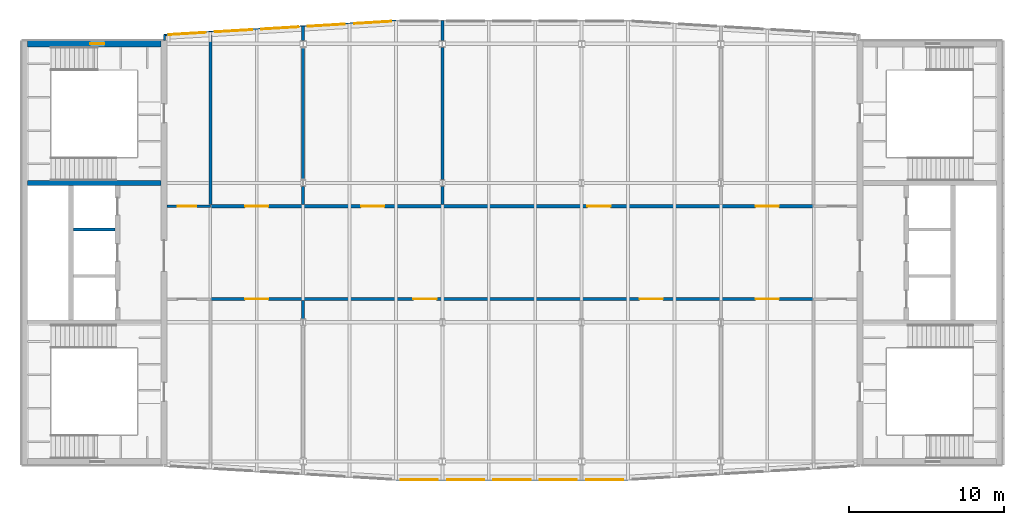
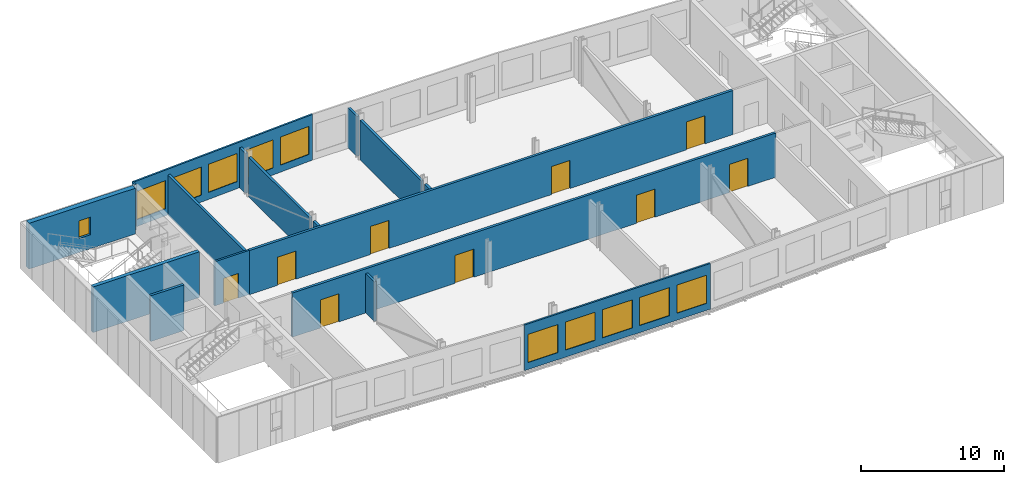
# One storey, part 4 of 9: 17 walls, 11 windows, 9 doors, 20 openings.
"""IFC4 building model written with IfcOpenShell, lengths in metres."""

from ifc_helpers import new_model, si_unit, direction, frame, frame_2d, origin, place, context, subcontext, project, spatial, rectangle, extrude, material, layer, layer_set, type_object, element, fill, save


model = new_model("IFC4")

# Units and contexts
model_context = context("Model", 3, precision=1e-05, world=origin(), true_north=direction((0.0, 1.0)))
body_context = subcontext(model_context, "Body", "Model", "MODEL_VIEW")
ifc_project = project(units=[si_unit("LENGTHUNIT", "METRE"), si_unit("AREAUNIT", "SQUARE_METRE"), si_unit("VOLUMEUNIT", "CUBIC_METRE"), si_unit("PLANEANGLEUNIT", "RADIAN"), si_unit("MASSUNIT", "GRAM", prefix="KILO")], contexts=[model_context])

# Site, building, storey
site_placement = place(None, origin())
site = spatial("IfcSite", under=ifc_project, at=site_placement, CompositionType="ELEMENT")
building_placement = place(site_placement, origin())
building = spatial("IfcBuilding", under=site, at=building_placement, Name="Azimuth Sports and Learning Centre", CompositionType="ELEMENT")
storey_placement = place(building_placement, frame((0.0, 0.0, 51.89990234375)))
storey = spatial("IfcBuildingStorey", under=building, at=storey_placement, Name="L11", CompositionType="ELEMENT", Elevation=51.89990234375)

# Wall
ifc_material_1 = material(Name="Dense masonry blockwork", Category="masonry")
ifc_layer_1 = layer(ifc_material_1, 0.199951171875)
ifc_layer_set_1 = layer_set([ifc_layer_1], Name="Dense masonry blockwork")
wall_type_1 = type_object("IfcWallType", Name="Blockwork wall 200 EI 120", PredefinedType="SOLIDWALL", material=ifc_layer_set_1)
wall_1_placement = place(storey_placement, frame((57.14990234375, 105.0, 0.0), z_axis=(0.0, 0.0, 1.0), x_axis=(1.0, 0.0, 0.0)))
element("IfcWall", 1, at=wall_1_placement, inside=storey, type_object=wall_type_1, Name="SD-W-2-L11", PredefinedType="SOLIDWALL", context=body_context, shape_type="SweptSolid", body=[
    extrude(rectangle(XDim=2.7001953125, YDim=0.199951171875, at=frame_2d((1.35009765625, 0.0))), origin(), (0.0, 0.0, 1.0), 3.900146484375),
])

# Wall, opening, door
ifc_material_2 = material(Name="Lightweight blockwork, rendered", Category="masonry")
ifc_layer_2 = layer(ifc_material_2, 0.14990234375)
ifc_layer_set_2 = layer_set([ifc_layer_2], Name="Lightweight blockwork, rendered")
wall_type_2 = type_object("IfcWallType", Name="Partition 150 EI 60", PredefinedType="PARTITIONING", material=ifc_layer_set_2)
wall_2_placement = place(storey_placement, frame((63.199951171875, 106.5, 0.0), z_axis=(0.0, 0.0, 1.0), x_axis=(1.0, 0.0, 0.0)))
wall_2 = element("IfcWall", 2, at=wall_2_placement, inside=storey, type_object=wall_type_2, Name="Partition Stair Lobby W2 11.02 / Plant Corridor", PredefinedType="PARTITIONING", context=body_context, shape_type="SweptSolid", body=[
    extrude(rectangle(XDim=2.800048828125, YDim=0.14990234375, at=frame_2d((1.39990234375, 0.0))), origin(), (0.0, 0.0, 1.0), 3.77001953125),
])
opening_1_placement = place(wall_2_placement, frame((0.699951171875, 0.0, 0.0)))
opening_1 = element("IfcOpeningElement", 3, at=opening_1_placement, cuts=wall_2, Name="Opening D11-012", PredefinedType="OPENING", context=body_context, shape_type="SweptSolid", body=[
    extrude(rectangle(XDim=1.199951171875, YDim=2.10009765625, at=frame_2d((0.60009765625, 1.050048828125))), frame((0.0, 0.0859375, 0.0), z_axis=(0.0, -1.0, 0.0), x_axis=(1.0, 0.0, 0.0)), (0.0, 0.0, 1.0), 0.171875),
])
ifc_material_3 = material(Name="Painted steel door set", Category="steel")
door_type_1 = type_object("IfcDoorType", Name="Fire door FD60 1200 x 2100", OperationType="NOTDEFINED", PredefinedType="DOOR", material=ifc_material_3)
door_1_placement = place(opening_1_placement, origin())
door_1 = element("IfcDoor", 4, at=door_1_placement, inside=storey, type_object=door_type_1, Name="Door Stair Lobby W2 11.02 / Plant Corridor", OperationType="SINGLE_SWING_LEFT", OverallHeight=2.10009765625, OverallWidth=1.199951171875, PredefinedType="DOOR", context=body_context, shape_type="SweptSolid", body=[
    extrude(rectangle(XDim=1.199951171875, YDim=2.10009765625, at=frame_2d((0.60009765625, 1.050048828125))), frame((0.0, 0.02490234375, 0.0), z_axis=(0.0, -1.0, 0.0), x_axis=(1.0, 0.0, 0.0)), (0.0, 0.0, 1.0), 0.050048828125),
])
fill(opening_1, door_1)

# Wall, openings, doors
ifc_material_4 = material(Name="Lightweight blockwork, rendered", Category="masonry")
ifc_layer_3 = layer(ifc_material_4, 0.199951171875)
ifc_layer_set_3 = layer_set([ifc_layer_3], Name="Lightweight blockwork, rendered")
wall_type_3 = type_object("IfcWallType", Name="Partition 200 EI 120", PredefinedType="PARTITIONING", material=ifc_layer_set_3)
wall_3_placement = place(storey_placement, frame((66.0, 100.5, 0.0), z_axis=(0.0, 0.0, 1.0), x_axis=(1.0, 0.0, 0.0)))
wall_3 = element("IfcWall", 5, at=wall_3_placement, inside=storey, type_object=wall_type_3, Name="Partition Electrical Switch Room 11.07 / Air Handling Plant Room 11.08", PredefinedType="PARTITIONING", context=body_context, shape_type="SweptSolid", body=[
    extrude(rectangle(XDim=39.0, YDim=0.199951171875, at=frame_2d((19.5, 0.0))), origin(), (0.0, 0.0, 1.0), 3.77001953125),
])
opening_2_placement = place(wall_3_placement, frame((2.25, 0.0, 0.0)))
opening_2 = element("IfcOpeningElement", 6, at=opening_2_placement, cuts=wall_3, Name="Opening D11-015", PredefinedType="OPENING", context=body_context, shape_type="SweptSolid", body=[
    extrude(rectangle(XDim=1.5, YDim=2.39990234375, at=frame_2d((0.75, 1.199951171875))), frame((0.0, 0.11083984375, 0.0), z_axis=(0.0, -1.0, 0.0), x_axis=(1.0, 0.0, 0.0)), (0.0, 0.0, 1.0), 0.221923828125),
])
opening_3_placement = place(wall_3_placement, frame((13.125, 0.0, 0.0)))
opening_3 = element("IfcOpeningElement", 7, at=opening_3_placement, cuts=wall_3, Name="Opening D11-016", PredefinedType="OPENING", context=body_context, shape_type="SweptSolid", body=[
    extrude(rectangle(XDim=1.5, YDim=2.39990234375, at=frame_2d((0.75, 1.199951171875))), frame((0.0, 0.11083984375, 0.0), z_axis=(0.0, -1.0, 0.0), x_axis=(1.0, 0.0, 0.0)), (0.0, 0.0, 1.0), 0.221923828125),
])
opening_4_placement = place(wall_3_placement, frame((27.75, 0.0, 0.0)))
opening_4 = element("IfcOpeningElement", 8, at=opening_4_placement, cuts=wall_3, Name="Opening D11-017", PredefinedType="OPENING", context=body_context, shape_type="SweptSolid", body=[
    extrude(rectangle(XDim=1.5, YDim=2.39990234375, at=frame_2d((0.75, 1.199951171875))), frame((0.0, 0.11083984375, 0.0), z_axis=(0.0, -1.0, 0.0), x_axis=(1.0, 0.0, 0.0)), (0.0, 0.0, 1.0), 0.221923828125),
])
opening_5_placement = place(wall_3_placement, frame((35.25, 0.0, 0.0)))
opening_5 = element("IfcOpeningElement", 9, at=opening_5_placement, cuts=wall_3, Name="Opening D11-018", PredefinedType="OPENING", context=body_context, shape_type="SweptSolid", body=[
    extrude(rectangle(XDim=1.5, YDim=2.39990234375, at=frame_2d((0.75, 1.199951171875))), frame((0.0, 0.11083984375, 0.0), z_axis=(0.0, -1.0, 0.0), x_axis=(1.0, 0.0, 0.0)), (0.0, 0.0, 1.0), 0.221923828125),
])
ifc_material_5 = material(Name="Painted steel door set", Category="steel")
door_type_2 = type_object("IfcDoorType", Name="Fire door FD120 1500 x 2400 double leaf", OperationType="DOUBLE_DOOR_SINGLE_SWING", PredefinedType="DOOR", material=ifc_material_5)
door_2_placement = place(opening_2_placement, origin())
door_2 = element("IfcDoor", 10, at=door_2_placement, inside=storey, type_object=door_type_2, Name="Door Electrical Switch Room 11.07 / Plant Corridor", OperationType="DOUBLE_DOOR_SINGLE_SWING", OverallHeight=2.39990234375, OverallWidth=1.5, PredefinedType="DOOR", context=body_context, shape_type="SweptSolid", body=[
    extrude(rectangle(XDim=1.5, YDim=2.39990234375, at=frame_2d((0.75, 1.199951171875))), frame((0.0, 0.02490234375, 0.0), z_axis=(0.0, -1.0, 0.0), x_axis=(1.0, 0.0, 0.0)), (0.0, 0.0, 1.0), 0.050048828125),
])
fill(opening_2, door_2)
door_3_placement = place(opening_3_placement, origin())
door_3 = element("IfcDoor", 11, at=door_3_placement, inside=storey, type_object=door_type_2, Name="Door Air Handling Plant Room 11.08 / Plant Corridor", OperationType="DOUBLE_DOOR_SINGLE_SWING", OverallHeight=2.39990234375, OverallWidth=1.5, PredefinedType="DOOR", context=body_context, shape_type="SweptSolid", body=[
    extrude(rectangle(XDim=1.5, YDim=2.39990234375, at=frame_2d((0.75, 1.199951171875))), frame((0.0, 0.02490234375, 0.0), z_axis=(0.0, -1.0, 0.0), x_axis=(1.0, 0.0, 0.0)), (0.0, 0.0, 1.0), 0.050048828125),
])
fill(opening_3, door_3)
door_4_placement = place(opening_4_placement, origin())
door_4 = element("IfcDoor", 12, at=door_4_placement, inside=storey, type_object=door_type_2, Name="Door Fire Protection Pump Room 11.09 / Plant Corridor", OperationType="DOUBLE_DOOR_SINGLE_SWING", OverallHeight=2.39990234375, OverallWidth=1.5, PredefinedType="DOOR", context=body_context, shape_type="SweptSolid", body=[
    extrude(rectangle(XDim=1.5, YDim=2.39990234375, at=frame_2d((0.75, 1.199951171875))), frame((0.0, 0.02490234375, 0.0), z_axis=(0.0, -1.0, 0.0), x_axis=(1.0, 0.0, 0.0)), (0.0, 0.0, 1.0), 0.050048828125),
])
fill(opening_4, door_4)
door_5_placement = place(opening_5_placement, origin())
door_5 = element("IfcDoor", 13, at=door_5_placement, inside=storey, type_object=door_type_2, Name="Door Communications Room 11.10 / Plant Corridor", OperationType="DOUBLE_DOOR_SINGLE_SWING", OverallHeight=2.39990234375, OverallWidth=1.5, PredefinedType="DOOR", context=body_context, shape_type="SweptSolid", body=[
    extrude(rectangle(XDim=1.5, YDim=2.39990234375, at=frame_2d((0.75, 1.199951171875))), frame((0.0, 0.02490234375, 0.0), z_axis=(0.0, -1.0, 0.0), x_axis=(1.0, 0.0, 0.0)), (0.0, 0.0, 1.0), 0.050048828125),
])
fill(opening_5, door_5)

wall_4_placement = place(storey_placement, frame((66.0, 106.5, 0.0), z_axis=(0.0, 0.0, 1.0), x_axis=(1.0, 0.0, 0.0)))
wall_4 = element("IfcWall", 14, at=wall_4_placement, inside=storey, type_object=wall_type_3, Name="Partition Water Services Room 11.11 / Plant Maintenance Store 11.12", PredefinedType="PARTITIONING", context=body_context, shape_type="SweptSolid", body=[
    extrude(rectangle(XDim=39.0, YDim=0.199951171875, at=frame_2d((19.5, 0.0))), origin(), (0.0, 0.0, 1.0), 3.77001953125),
])
opening_6_placement = place(wall_4_placement, frame((2.25, 0.0, 0.0)))
opening_6 = element("IfcOpeningElement", 15, at=opening_6_placement, cuts=wall_4, Name="Opening D11-019", PredefinedType="OPENING", context=body_context, shape_type="SweptSolid", body=[
    extrude(rectangle(XDim=1.5, YDim=2.39990234375, at=frame_2d((0.75, 1.199951171875))), frame((0.0, 0.11083984375, 0.0), z_axis=(0.0, -1.0, 0.0), x_axis=(1.0, 0.0, 0.0)), (0.0, 0.0, 1.0), 0.221923828125),
])
opening_7_placement = place(wall_4_placement, frame((9.75, 0.0, 0.0)))
opening_7 = element("IfcOpeningElement", 16, at=opening_7_placement, cuts=wall_4, Name="Opening D11-020", PredefinedType="OPENING", context=body_context, shape_type="SweptSolid", body=[
    extrude(rectangle(XDim=1.5, YDim=2.39990234375, at=frame_2d((0.75, 1.199951171875))), frame((0.0, 0.11083984375, 0.0), z_axis=(0.0, -1.0, 0.0), x_axis=(1.0, 0.0, 0.0)), (0.0, 0.0, 1.0), 0.221923828125),
])
opening_8_placement = place(wall_4_placement, frame((24.375, 0.0, 0.0)))
opening_8 = element("IfcOpeningElement", 17, at=opening_8_placement, cuts=wall_4, Name="Opening D11-021", PredefinedType="OPENING", context=body_context, shape_type="SweptSolid", body=[
    extrude(rectangle(XDim=1.5, YDim=2.39990234375, at=frame_2d((0.75, 1.199951171875))), frame((0.0, 0.11083984375, 0.0), z_axis=(0.0, -1.0, 0.0), x_axis=(1.0, 0.0, 0.0)), (0.0, 0.0, 1.0), 0.221923828125),
])
opening_9_placement = place(wall_4_placement, frame((35.25, 0.0, 0.0)))
opening_9 = element("IfcOpeningElement", 18, at=opening_9_placement, cuts=wall_4, Name="Opening D11-022", PredefinedType="OPENING", context=body_context, shape_type="SweptSolid", body=[
    extrude(rectangle(XDim=1.5, YDim=2.39990234375, at=frame_2d((0.75, 1.199951171875))), frame((0.0, 0.11083984375, 0.0), z_axis=(0.0, -1.0, 0.0), x_axis=(1.0, 0.0, 0.0)), (0.0, 0.0, 1.0), 0.221923828125),
])
door_6_placement = place(opening_6_placement, frame((1.5, 0.0, 0.0), z_axis=(0.0, 0.0, 1.0), x_axis=(-1.0, 0.0, 0.0)))
door_6 = element("IfcDoor", 19, at=door_6_placement, inside=storey, type_object=door_type_2, Name="Door Water Services Room 11.11 / Plant Corridor", OperationType="DOUBLE_DOOR_SINGLE_SWING", OverallHeight=2.39990234375, OverallWidth=1.5, PredefinedType="DOOR", context=body_context, shape_type="SweptSolid", body=[
    extrude(rectangle(XDim=1.5, YDim=2.39990234375, at=frame_2d((0.75, 1.199951171875))), frame((0.0, 0.02490234375, 0.0), z_axis=(0.0, -1.0, 0.0), x_axis=(1.0, 0.0, 0.0)), (0.0, 0.0, 1.0), 0.050048828125),
])
fill(opening_6, door_6)
door_7_placement = place(opening_7_placement, frame((1.5, 0.0, 0.0), z_axis=(0.0, 0.0, 1.0), x_axis=(-1.0, 0.0, 0.0)))
door_7 = element("IfcDoor", 20, at=door_7_placement, inside=storey, type_object=door_type_2, Name="Door Plant Maintenance Store 11.12 / Plant Corridor", OperationType="DOUBLE_DOOR_SINGLE_SWING", OverallHeight=2.39990234375, OverallWidth=1.5, PredefinedType="DOOR", context=body_context, shape_type="SweptSolid", body=[
    extrude(rectangle(XDim=1.5, YDim=2.39990234375, at=frame_2d((0.75, 1.199951171875))), frame((0.0, 0.02490234375, 0.0), z_axis=(0.0, -1.0, 0.0), x_axis=(1.0, 0.0, 0.0)), (0.0, 0.0, 1.0), 0.050048828125),
])
fill(opening_7, door_7)
door_8_placement = place(opening_8_placement, frame((1.5, 0.0, 0.0), z_axis=(0.0, 0.0, 1.0), x_axis=(-1.0, 0.0, 0.0)))
door_8 = element("IfcDoor", 21, at=door_8_placement, inside=storey, type_object=door_type_2, Name="Door Air Handling Plant Room 11.13 / Plant Corridor", OperationType="DOUBLE_DOOR_SINGLE_SWING", OverallHeight=2.39990234375, OverallWidth=1.5, PredefinedType="DOOR", context=body_context, shape_type="SweptSolid", body=[
    extrude(rectangle(XDim=1.5, YDim=2.39990234375, at=frame_2d((0.75, 1.199951171875))), frame((0.0, 0.02490234375, 0.0), z_axis=(0.0, -1.0, 0.0), x_axis=(1.0, 0.0, 0.0)), (0.0, 0.0, 1.0), 0.050048828125),
])
fill(opening_8, door_8)
door_9_placement = place(opening_9_placement, frame((1.5, 0.0, 0.0), z_axis=(0.0, 0.0, 1.0), x_axis=(-1.0, 0.0, 0.0)))
door_9 = element("IfcDoor", 22, at=door_9_placement, inside=storey, type_object=door_type_2, Name="Door Battery and UPS Room 11.14 / Plant Corridor", OperationType="DOUBLE_DOOR_SINGLE_SWING", OverallHeight=2.39990234375, OverallWidth=1.5, PredefinedType="DOOR", context=body_context, shape_type="SweptSolid", body=[
    extrude(rectangle(XDim=1.5, YDim=2.39990234375, at=frame_2d((0.75, 1.199951171875))), frame((0.0, 0.02490234375, 0.0), z_axis=(0.0, -1.0, 0.0), x_axis=(1.0, 0.0, 0.0)), (0.0, 0.0, 1.0), 0.050048828125),
])
fill(opening_9, door_9)

# Walls
wall_5_placement = place(storey_placement, frame((66.0, 106.60009765625, 0.0), z_axis=(0.0, 0.0, 1.0), x_axis=(0.0, 1.0, 0.0)))
element("IfcWall", 23, at=wall_5_placement, inside=storey, type_object=wall_type_3, Name="Partition Stair Lobby W2 11.02 / Water Services Room 11.11", PredefinedType="PARTITIONING", context=body_context, shape_type="SweptSolid", body=[
    extrude(rectangle(XDim=11.179931640625, YDim=0.199951171875, at=frame_2d((5.58984375, 0.0))), origin(), (0.0, 0.0, 1.0), 3.41015625),
])
for number, where, z_axis, x_axis, name in (
    (24, (72.0, 99.216064453125, 0.0), (0.0, 0.0, 1.0), (0.0, 1.0, 0.0), "Partition Electrical Switch Room 11.07 / Air Handling Plant Room 11.08"),
    (25, (72.0, 106.60009765625, 0.0), (0.0, 0.0, 1.0), (0.0, 1.0, 0.0), "Partition Water Services Room 11.11 / Plant Maintenance Store 11.12"),
):
    element("IfcWall", number, at=place(storey_placement, frame(where, z_axis=z_axis, x_axis=x_axis)), inside=storey, type_object=wall_type_3, Name=name, PredefinedType="PARTITIONING", context=body_context, shape_type="SweptSolid", body=[
        extrude(rectangle(XDim=1.183837890625, YDim=0.199951171875, at=frame_2d((0.591796875, 0.0))), origin(), (0.0, 0.0, 1.0), 3.3701171875),
    ])
wall_6_placement = place(storey_placement, frame((72.0, 108.216064453125, 0.0), z_axis=(0.0, 0.0, 1.0), x_axis=(0.0, 1.0, 0.0)))
element("IfcWall", 26, at=wall_6_placement, inside=storey, type_object=wall_type_3, Name="Partition Water Services Room 11.11 / Plant Maintenance Store 11.12", PredefinedType="PARTITIONING", context=body_context, shape_type="SweptSolid", body=[
    extrude(rectangle(XDim=8.556396484375, YDim=0.199951171875, at=frame_2d((4.2783203125, 0.0))), origin(), (0.0, 0.0, 1.0), 3.3701171875),
])
wall_7_placement = place(storey_placement, frame((72.0, 117.2275390625, 0.0), z_axis=(0.0, 0.0, 1.0), x_axis=(0.0, 1.0, 0.0)))
element("IfcWall", 27, at=wall_7_placement, inside=storey, type_object=wall_type_3, Name="Partition Water Services Room 11.11 / Plant Maintenance Store 11.12", PredefinedType="PARTITIONING", context=body_context, shape_type="SweptSolid", body=[
    extrude(rectangle(XDim=0.912353515625, YDim=0.199951171875, at=frame_2d((0.4560546875, 0.0))), origin(), (0.0, 0.0, 1.0), 3.41015625),
])
wall_8_placement = place(storey_placement, frame((81.0, 106.60009765625, 0.0), z_axis=(0.0, 0.0, 1.0), x_axis=(0.0, 1.0, 0.0)))
element("IfcWall", 28, at=wall_8_placement, inside=storey, type_object=wall_type_3, Name="Partition Plant Maintenance Store 11.12 / Air Handling Plant Room 11.13", PredefinedType="PARTITIONING", context=body_context, shape_type="SweptSolid", body=[
    extrude(rectangle(XDim=1.183837890625, YDim=0.199951171875, at=frame_2d((0.591796875, 0.0))), origin(), (0.0, 0.0, 1.0), 3.3701171875),
])
wall_9_placement = place(storey_placement, frame((81.0, 108.216064453125, 0.0), z_axis=(0.0, 0.0, 1.0), x_axis=(0.0, 1.0, 0.0)))
element("IfcWall", 29, at=wall_9_placement, inside=storey, type_object=wall_type_3, Name="Partition Plant Maintenance Store 11.12 / Air Handling Plant Room 11.13", PredefinedType="PARTITIONING", context=body_context, shape_type="SweptSolid", body=[
    extrude(rectangle(XDim=8.556396484375, YDim=0.199951171875, at=frame_2d((4.2783203125, 0.0))), origin(), (0.0, 0.0, 1.0), 3.3701171875),
])
wall_10_placement = place(storey_placement, frame((81.0, 117.2275390625, 0.0), z_axis=(0.0, 0.0, 1.0), x_axis=(0.0, 1.0, 0.0)))
element("IfcWall", 30, at=wall_10_placement, inside=storey, type_object=wall_type_3, Name="Partition Plant Maintenance Store 11.12 / Air Handling Plant Room 11.13", PredefinedType="PARTITIONING", context=body_context, shape_type="SweptSolid", body=[
    extrude(rectangle(XDim=1.2724609375, YDim=0.199951171875, at=frame_2d((0.63623046875, 0.0))), origin(), (0.0, 0.0, 1.0), 3.41015625),
])

# Wall, openings, windows
ifc_material_6 = material(Name="Aluminium rainscreen cladding, mineral wool insulation, steel stud backing, plasterboard", Category="steel")
ifc_layer_4 = layer(ifc_material_6, 0.139892578125)
ifc_layer_set_4 = layer_set([ifc_layer_4], Name="Aluminium rainscreen cladding, mineral wool insulation, steel stud backing, plasterboard")
wall_type_4 = type_object("IfcWallType", Name="Plant band wall 140", PredefinedType="SOLIDWALL", material=ifc_layer_set_4)
wall_11_placement = place(storey_placement, frame((78.001708984375, 88.830078125, 0.0), z_axis=(0.0, 0.0, 1.0), x_axis=(1.0, 0.0, 0.0)))
wall_11 = element("IfcWall", 31, at=wall_11_placement, inside=storey, type_object=wall_type_4, Name="Plant band wall S-TOWER-2 L11", PredefinedType="SOLIDWALL", context=body_context, shape_type="SweptSolid", body=[
    extrude(rectangle(XDim=14.998291015625, YDim=0.139892578125, at=frame_2d((7.4990234375, 0.0))), origin(), (0.0, 0.0, 1.0), 3.900146484375),
])
opening_10_placement = place(wall_11_placement, frame((0.298095703125, 0.0, 0.60009765625)))
opening_10 = element("IfcOpeningElement", 32, at=opening_10_placement, cuts=wall_11, Name="Opening W11-007", PredefinedType="OPENING", context=body_context, shape_type="SweptSolid", body=[
    extrude(rectangle(XDim=2.39990234375, YDim=2.39990234375, at=frame_2d((1.199951171875, 1.199951171875))), frame((0.0, 0.0810546875, 0.0), z_axis=(0.0, -1.0, 0.0), x_axis=(1.0, 0.0, 0.0)), (0.0, 0.0, 1.0), 0.161865234375),
])
opening_11_placement = place(wall_11_placement, frame((3.298095703125, 0.0, 0.60009765625)))
opening_11 = element("IfcOpeningElement", 33, at=opening_11_placement, cuts=wall_11, Name="Opening W11-008", PredefinedType="OPENING", context=body_context, shape_type="SweptSolid", body=[
    extrude(rectangle(XDim=2.39990234375, YDim=2.39990234375, at=frame_2d((1.199951171875, 1.199951171875))), frame((0.0, 0.0810546875, 0.0), z_axis=(0.0, -1.0, 0.0), x_axis=(1.0, 0.0, 0.0)), (0.0, 0.0, 1.0), 0.161865234375),
])
opening_12_placement = place(wall_11_placement, frame((6.298095703125, 0.0, 0.60009765625)))
opening_12 = element("IfcOpeningElement", 34, at=opening_12_placement, cuts=wall_11, Name="Opening W11-009", PredefinedType="OPENING", context=body_context, shape_type="SweptSolid", body=[
    extrude(rectangle(XDim=2.39990234375, YDim=2.39990234375, at=frame_2d((1.199951171875, 1.199951171875))), frame((0.0, 0.0810546875, 0.0), z_axis=(0.0, -1.0, 0.0), x_axis=(1.0, 0.0, 0.0)), (0.0, 0.0, 1.0), 0.161865234375),
])
opening_13_placement = place(wall_11_placement, frame((9.298095703125, 0.0, 0.60009765625)))
opening_13 = element("IfcOpeningElement", 35, at=opening_13_placement, cuts=wall_11, Name="Opening W11-010", PredefinedType="OPENING", context=body_context, shape_type="SweptSolid", body=[
    extrude(rectangle(XDim=2.39990234375, YDim=2.39990234375, at=frame_2d((1.199951171875, 1.199951171875))), frame((0.0, 0.0810546875, 0.0), z_axis=(0.0, -1.0, 0.0), x_axis=(1.0, 0.0, 0.0)), (0.0, 0.0, 1.0), 0.161865234375),
])
opening_14_placement = place(wall_11_placement, frame((12.298095703125, 0.0, 0.60009765625)))
opening_14 = element("IfcOpeningElement", 36, at=opening_14_placement, cuts=wall_11, Name="Opening W11-011", PredefinedType="OPENING", context=body_context, shape_type="SweptSolid", body=[
    extrude(rectangle(XDim=2.39990234375, YDim=2.39990234375, at=frame_2d((1.199951171875, 1.199951171875))), frame((0.0, 0.0810546875, 0.0), z_axis=(0.0, -1.0, 0.0), x_axis=(1.0, 0.0, 0.0)), (0.0, 0.0, 1.0), 0.161865234375),
])
ifc_material_7 = material(Name="Aluminium and glass", Category="aluminium")
window_type_1 = type_object("IfcWindowType", Name="Plant band louvre window 2400x2400", PartitioningType="SINGLE_PANEL", PredefinedType="WINDOW", material=ifc_material_7)
window_1_placement = place(opening_10_placement, origin())
window_1 = element("IfcWindow", 37, at=window_1_placement, inside=storey, type_object=window_type_1, Name="Window W11-007", OverallHeight=2.39990234375, OverallWidth=2.39990234375, PartitioningType="SINGLE_PANEL", PredefinedType="WINDOW", context=body_context, shape_type="SweptSolid", body=[
    extrude(rectangle(XDim=2.39990234375, YDim=2.39990234375, at=frame_2d((1.199951171875, 1.199951171875))), frame((0.0, 0.030029296875, 0.0), z_axis=(0.0, -1.0, 0.0), x_axis=(1.0, 0.0, 0.0)), (0.0, 0.0, 1.0), 0.06005859375),
])
fill(opening_10, window_1)
window_2_placement = place(opening_11_placement, origin())
window_2 = element("IfcWindow", 38, at=window_2_placement, inside=storey, type_object=window_type_1, Name="Window W11-008", OverallHeight=2.39990234375, OverallWidth=2.39990234375, PartitioningType="SINGLE_PANEL", PredefinedType="WINDOW", context=body_context, shape_type="SweptSolid", body=[
    extrude(rectangle(XDim=2.39990234375, YDim=2.39990234375, at=frame_2d((1.199951171875, 1.199951171875))), frame((0.0, 0.030029296875, 0.0), z_axis=(0.0, -1.0, 0.0), x_axis=(1.0, 0.0, 0.0)), (0.0, 0.0, 1.0), 0.06005859375),
])
fill(opening_11, window_2)
window_3_placement = place(opening_12_placement, origin())
window_3 = element("IfcWindow", 39, at=window_3_placement, inside=storey, type_object=window_type_1, Name="Window W11-009", OverallHeight=2.39990234375, OverallWidth=2.39990234375, PartitioningType="SINGLE_PANEL", PredefinedType="WINDOW", context=body_context, shape_type="SweptSolid", body=[
    extrude(rectangle(XDim=2.39990234375, YDim=2.39990234375, at=frame_2d((1.199951171875, 1.199951171875))), frame((0.0, 0.030029296875, 0.0), z_axis=(0.0, -1.0, 0.0), x_axis=(1.0, 0.0, 0.0)), (0.0, 0.0, 1.0), 0.06005859375),
])
fill(opening_12, window_3)
window_4_placement = place(opening_13_placement, origin())
window_4 = element("IfcWindow", 40, at=window_4_placement, inside=storey, type_object=window_type_1, Name="Window W11-010", OverallHeight=2.39990234375, OverallWidth=2.39990234375, PartitioningType="SINGLE_PANEL", PredefinedType="WINDOW", context=body_context, shape_type="SweptSolid", body=[
    extrude(rectangle(XDim=2.39990234375, YDim=2.39990234375, at=frame_2d((1.199951171875, 1.199951171875))), frame((0.0, 0.030029296875, 0.0), z_axis=(0.0, -1.0, 0.0), x_axis=(1.0, 0.0, 0.0)), (0.0, 0.0, 1.0), 0.06005859375),
])
fill(opening_13, window_4)
window_5_placement = place(opening_14_placement, origin())
window_5 = element("IfcWindow", 41, at=window_5_placement, inside=storey, type_object=window_type_1, Name="Window W11-011", OverallHeight=2.39990234375, OverallWidth=2.39990234375, PartitioningType="SINGLE_PANEL", PredefinedType="WINDOW", context=body_context, shape_type="SweptSolid", body=[
    extrude(rectangle(XDim=2.39990234375, YDim=2.39990234375, at=frame_2d((1.199951171875, 1.199951171875))), frame((0.0, 0.030029296875, 0.0), z_axis=(0.0, -1.0, 0.0), x_axis=(1.0, 0.0, 0.0)), (0.0, 0.0, 1.0), 0.06005859375),
])
fill(opening_14, window_5)

wall_12_placement = place(storey_placement, frame((78.0, 118.469970703125, 0.0), z_axis=(0.0, 0.0, 1.0), x_axis=(-0.998204826037, -0.059892614536, 0.0)))
wall_12 = element("IfcWall", 42, at=wall_12_placement, inside=storey, type_object=wall_type_4, Name="Plant band wall N-TOWER-3 L11", PredefinedType="SOLIDWALL", context=body_context, shape_type="SweptSolid", body=[
    extrude(rectangle(XDim=15.025146484375, YDim=0.139892578125, at=frame_2d((7.5126953125, 0.0))), origin(), (0.0, 0.0, 1.0), 3.900146484375),
])
opening_15_placement = place(wall_12_placement, frame((0.30078125, 0.0, 0.60009765625)))
opening_15 = element("IfcOpeningElement", 43, at=opening_15_placement, cuts=wall_12, Name="Opening W11-029", PredefinedType="OPENING", context=body_context, shape_type="SweptSolid", body=[
    extrude(rectangle(XDim=2.39990234375, YDim=2.39990234375, at=frame_2d((1.199951171875, 1.199951171875))), frame((0.0, 0.0810546875, 0.0), z_axis=(0.0, -1.0, 0.0), x_axis=(1.0, 0.0, 0.0)), (0.0, 0.0, 1.0), 0.161865234375),
])
opening_16_placement = place(wall_12_placement, frame((3.306396484375, 0.0, 0.60009765625)))
opening_16 = element("IfcOpeningElement", 44, at=opening_16_placement, cuts=wall_12, Name="Opening W11-030", PredefinedType="OPENING", context=body_context, shape_type="SweptSolid", body=[
    extrude(rectangle(XDim=2.39990234375, YDim=2.39990234375, at=frame_2d((1.199951171875, 1.199951171875))), frame((0.0, 0.0810546875, 0.0), z_axis=(0.0, -1.0, 0.0), x_axis=(1.0, 0.0, 0.0)), (0.0, 0.0, 1.0), 0.161865234375),
])
opening_17_placement = place(wall_12_placement, frame((6.311767578125, 0.0, 0.60009765625)))
opening_17 = element("IfcOpeningElement", 45, at=opening_17_placement, cuts=wall_12, Name="Opening W11-031", PredefinedType="OPENING", context=body_context, shape_type="SweptSolid", body=[
    extrude(rectangle(XDim=2.39990234375, YDim=2.39990234375, at=frame_2d((1.199951171875, 1.199951171875))), frame((0.0, 0.0810546875, 0.0), z_axis=(0.0, -1.0, 0.0), x_axis=(1.0, 0.0, 0.0)), (0.0, 0.0, 1.0), 0.161865234375),
])
opening_18_placement = place(wall_12_placement, frame((9.317138671875, 0.0, 0.60009765625)))
opening_18 = element("IfcOpeningElement", 46, at=opening_18_placement, cuts=wall_12, Name="Opening W11-032", PredefinedType="OPENING", context=body_context, shape_type="SweptSolid", body=[
    extrude(rectangle(XDim=2.39990234375, YDim=2.39990234375, at=frame_2d((1.199951171875, 1.199951171875))), frame((0.0, 0.0810546875, 0.0), z_axis=(0.0, -1.0, 0.0), x_axis=(1.0, 0.0, 0.0)), (0.0, 0.0, 1.0), 0.161865234375),
])
opening_19_placement = place(wall_12_placement, frame((12.322509765625, 0.0, 0.60009765625)))
opening_19 = element("IfcOpeningElement", 47, at=opening_19_placement, cuts=wall_12, Name="Opening W11-033", PredefinedType="OPENING", context=body_context, shape_type="SweptSolid", body=[
    extrude(rectangle(XDim=2.39990234375, YDim=2.39990234375, at=frame_2d((1.199951171875, 1.199951171875))), frame((0.0, 0.0810546875, 0.0), z_axis=(0.0, -1.0, 0.0), x_axis=(1.0, 0.0, 0.0)), (0.0, 0.0, 1.0), 0.161865234375),
])
window_6_placement = place(opening_15_placement, origin())
window_6 = element("IfcWindow", 48, at=window_6_placement, inside=storey, type_object=window_type_1, Name="Window W11-029", OverallHeight=2.39990234375, OverallWidth=2.39990234375, PartitioningType="SINGLE_PANEL", PredefinedType="WINDOW", context=body_context, shape_type="SweptSolid", body=[
    extrude(rectangle(XDim=2.39990234375, YDim=2.39990234375, at=frame_2d((1.199951171875, 1.199951171875))), frame((0.0, 0.030029296875, 0.0), z_axis=(0.0, -1.0, 0.0), x_axis=(1.0, 0.0, 0.0)), (0.0, 0.0, 1.0), 0.06005859375),
])
fill(opening_15, window_6)
window_7_placement = place(opening_16_placement, origin())
window_7 = element("IfcWindow", 49, at=window_7_placement, inside=storey, type_object=window_type_1, Name="Window W11-030", OverallHeight=2.39990234375, OverallWidth=2.39990234375, PartitioningType="SINGLE_PANEL", PredefinedType="WINDOW", context=body_context, shape_type="SweptSolid", body=[
    extrude(rectangle(XDim=2.39990234375, YDim=2.39990234375, at=frame_2d((1.199951171875, 1.199951171875))), frame((0.0, 0.030029296875, 0.0), z_axis=(0.0, -1.0, 0.0), x_axis=(1.0, 0.0, 0.0)), (0.0, 0.0, 1.0), 0.06005859375),
])
fill(opening_16, window_7)
window_8_placement = place(opening_17_placement, origin())
window_8 = element("IfcWindow", 50, at=window_8_placement, inside=storey, type_object=window_type_1, Name="Window W11-031", OverallHeight=2.39990234375, OverallWidth=2.39990234375, PartitioningType="SINGLE_PANEL", PredefinedType="WINDOW", context=body_context, shape_type="SweptSolid", body=[
    extrude(rectangle(XDim=2.39990234375, YDim=2.39990234375, at=frame_2d((1.199951171875, 1.199951171875))), frame((0.0, 0.030029296875, 0.0), z_axis=(0.0, -1.0, 0.0), x_axis=(1.0, 0.0, 0.0)), (0.0, 0.0, 1.0), 0.06005859375),
])
fill(opening_17, window_8)
window_9_placement = place(opening_18_placement, origin())
window_9 = element("IfcWindow", 51, at=window_9_placement, inside=storey, type_object=window_type_1, Name="Window W11-032", OverallHeight=2.39990234375, OverallWidth=2.39990234375, PartitioningType="SINGLE_PANEL", PredefinedType="WINDOW", context=body_context, shape_type="SweptSolid", body=[
    extrude(rectangle(XDim=2.39990234375, YDim=2.39990234375, at=frame_2d((1.199951171875, 1.199951171875))), frame((0.0, 0.030029296875, 0.0), z_axis=(0.0, -1.0, 0.0), x_axis=(1.0, 0.0, 0.0)), (0.0, 0.0, 1.0), 0.06005859375),
])
fill(opening_18, window_9)
window_10_placement = place(opening_19_placement, origin())
window_10 = element("IfcWindow", 52, at=window_10_placement, inside=storey, type_object=window_type_1, Name="Window W11-033", OverallHeight=2.39990234375, OverallWidth=2.39990234375, PartitioningType="SINGLE_PANEL", PredefinedType="WINDOW", context=body_context, shape_type="SweptSolid", body=[
    extrude(rectangle(XDim=2.39990234375, YDim=2.39990234375, at=frame_2d((1.199951171875, 1.199951171875))), frame((0.0, 0.030029296875, 0.0), z_axis=(0.0, -1.0, 0.0), x_axis=(1.0, 0.0, 0.0)), (0.0, 0.0, 1.0), 0.06005859375),
])
fill(opening_19, window_10)

# Walls
wall_13_placement = place(storey_placement, frame((63.030029296875, 117.60009765625, 0.0), z_axis=(0.0, 0.0, 1.0), x_axis=(0.0, -1.0, 0.0)))
element("IfcWall", 53, at=wall_13_placement, inside=storey, type_object=wall_type_4, Name="Plant band wall W-RET-N L11", PredefinedType="SOLIDWALL", context=body_context, shape_type="SweptSolid", body=[
    extrude(rectangle(XDim=0.400146484375, YDim=0.139892578125, at=frame_2d((0.2001953125, 0.0))), origin(), (0.0, 0.0, 1.0), 3.900146484375),
])
ifc_material_8 = material(Name="Concrete C40/50", Category="concrete")
ifc_layer_5 = layer(ifc_material_8, 0.300048828125)
ifc_layer_set_5 = layer_set([ifc_layer_5], Name="Concrete C40/50")
wall_type_5 = type_object("IfcWallType", Name="RC core wall 300", PredefinedType="SHEAR", material=ifc_layer_set_5)
wall_14_placement = place(storey_placement, frame((54.199951171875, 108.0, 0.0), z_axis=(0.0, 0.0, 1.0), x_axis=(1.0, 0.0, 0.0)))
element("IfcWall", 54, at=wall_14_placement, inside=storey, type_object=wall_type_5, Name="Core wall W D2 L11", PredefinedType="SHEAR", context=body_context, shape_type="SweptSolid", body=[
    extrude(rectangle(XDim=8.60009765625, YDim=0.300048828125, at=frame_2d((4.300048828125, 0.0))), origin(), (0.0, 0.0, 1.0), 3.900146484375),
])

# Wall, opening, window
ifc_material_9 = material(Name="Concrete C40/50", Category="concrete")
ifc_layer_6 = layer(ifc_material_9, 0.39990234375)
ifc_layer_set_6 = layer_set([ifc_layer_6], Name="Concrete C40/50")
wall_type_6 = type_object("IfcWallType", Name="RC external core wall 400", PredefinedType="SHEAR", material=ifc_layer_set_6)
wall_15_placement = place(storey_placement, frame((54.199951171875, 117.0, 0.0), z_axis=(0.0, 0.0, 1.0), x_axis=(1.0, 0.0, 0.0)))
wall_15 = element("IfcWall", 55, at=wall_15_placement, inside=storey, type_object=wall_type_6, Name="Core wall W N L11", PredefinedType="SHEAR", context=body_context, shape_type="SweptSolid", body=[
    extrude(rectangle(XDim=8.60009765625, YDim=0.39990234375, at=frame_2d((4.300048828125, 0.0))), origin(), (0.0, 0.0, 1.0), 3.900146484375),
])
opening_20_placement = place(wall_15_placement, frame((4.050048828125, 0.0, 1.199951171875)))
opening_20 = element("IfcOpeningElement", 56, at=opening_20_placement, cuts=wall_15, Name="Opening W11-034", PredefinedType="OPENING", context=body_context, shape_type="SweptSolid", body=[
    extrude(rectangle(XDim=0.89990234375, YDim=1.5, at=frame_2d((0.449951171875, 0.75))), frame((0.0, 0.2109375, 0.0), z_axis=(0.0, -1.0, 0.0), x_axis=(1.0, 0.0, 0.0)), (0.0, 0.0, 1.0), 0.421875),
])
ifc_material_10 = material(Name="Aluminium and glass", Category="aluminium")
window_type_2 = type_object("IfcWindowType", Name="Stair window tower core 900x1500", PartitioningType="SINGLE_PANEL", PredefinedType="WINDOW", material=ifc_material_10)
window_11_placement = place(opening_20_placement, origin())
window_11 = element("IfcWindow", 57, at=window_11_placement, inside=storey, type_object=window_type_2, Name="Window W11-034", OverallHeight=1.5, OverallWidth=0.89990234375, PartitioningType="SINGLE_PANEL", PredefinedType="WINDOW", context=body_context, shape_type="SweptSolid", body=[
    extrude(rectangle(XDim=0.89990234375, YDim=1.5, at=frame_2d((0.449951171875, 0.75))), frame((0.0, 0.030029296875, 0.0), z_axis=(0.0, -1.0, 0.0), x_axis=(1.0, 0.0, 0.0)), (0.0, 0.0, 1.0), 0.06005859375),
])
fill(opening_20, window_11)

save(model, "model.ifc")
